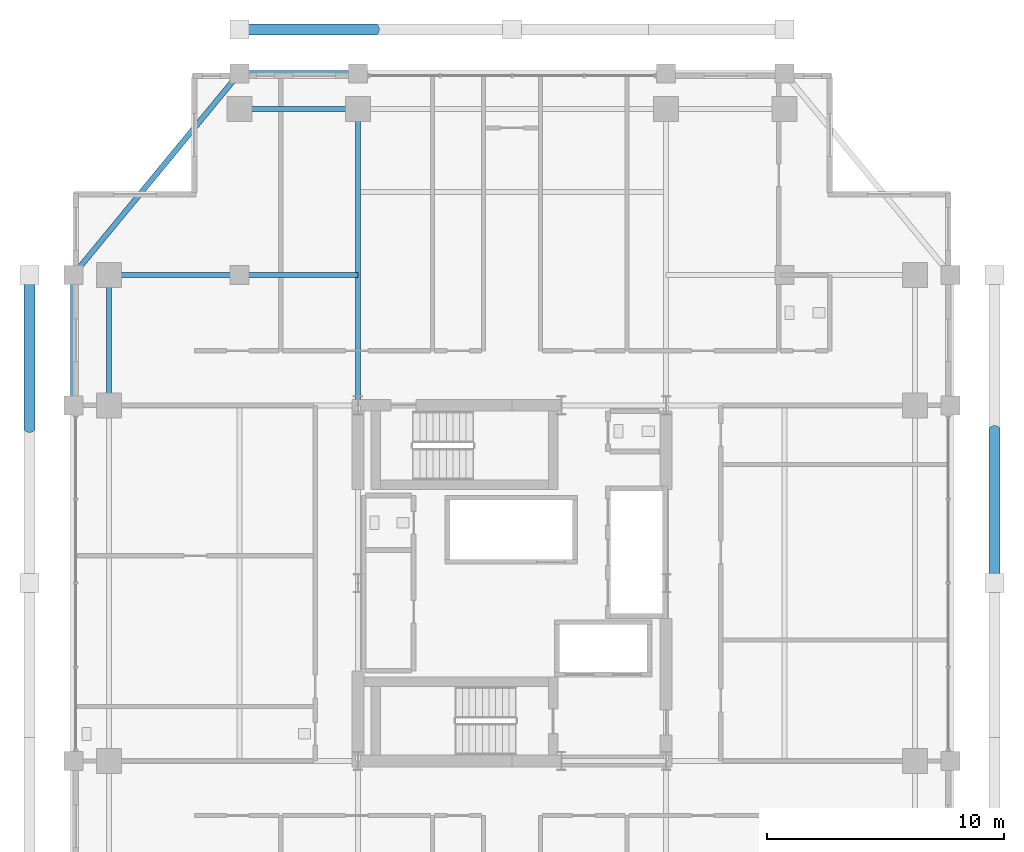
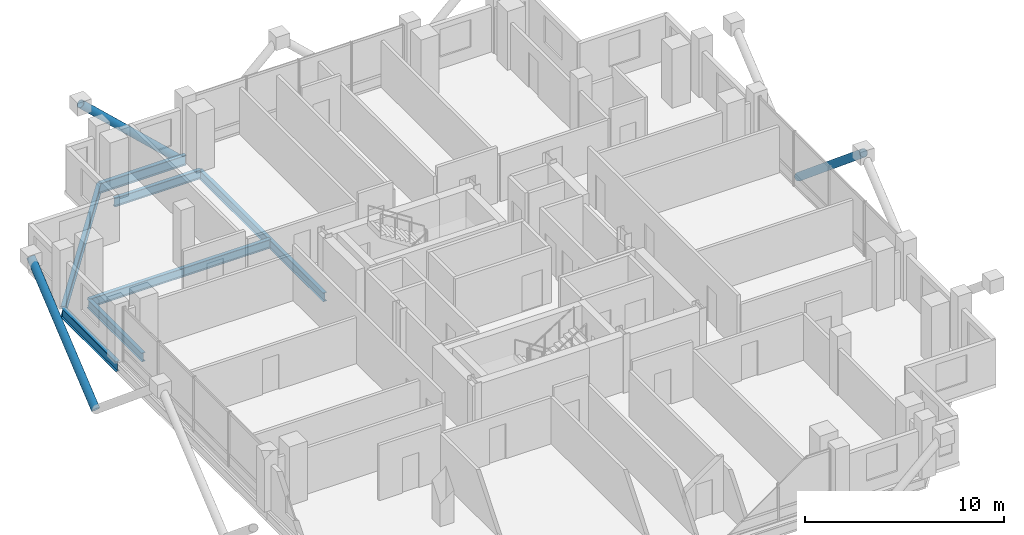
# One storey, part 12 of 23: 8 beams, 3 members.
"""IFC4 building model written with IfcOpenShell, lengths in metres."""

from ifc_helpers import new_model, si_unit, direction, frame, origin, origin_2d, place, context, subcontext, project, spatial, hollow_circle, i_section, extrude, material, material_profile, profile_set, type_object, element, save


model = new_model("IFC4")

# Units and contexts
model_context = context("Model", 3, precision=1e-05, world=origin(), true_north=direction((0.0, 1.0)))
body_context = subcontext(model_context, "Body", "Model", "MODEL_VIEW")
ifc_project = project(units=[si_unit("LENGTHUNIT", "METRE"), si_unit("AREAUNIT", "SQUARE_METRE"), si_unit("VOLUMEUNIT", "CUBIC_METRE"), si_unit("PLANEANGLEUNIT", "RADIAN"), si_unit("MASSUNIT", "GRAM", prefix="KILO")], contexts=[model_context])

# Site, building, storey
site_placement = place(None, origin())
site = spatial("IfcSite", under=ifc_project, at=site_placement, CompositionType="ELEMENT")
building_placement = place(site_placement, origin())
building = spatial("IfcBuilding", under=site, at=building_placement, Name="Barlavira Tower and Art Museum", CompositionType="ELEMENT")
storey_placement = place(building_placement, frame((0.0, 0.0, 205.199951171875)))
storey = spatial("IfcBuildingStorey", under=building, at=storey_placement, Name="L53", CompositionType="ELEMENT", Elevation=205.199951171875)

# Members
ifc_material = material(Name="Steel S355", Category="steel")
ifc_material_profile_1 = material_profile(ifc_material, hollow_circle(Radius=0.228515625, WallThickness=0.02001953125, at=origin_2d()), Name="CHS 457.0x20.0")
ifc_profile_set_1 = profile_set([ifc_material_profile_1], Name="Steel S355")
member_type = type_object("IfcMemberType", Name="Pale-Metal Exoskeleton Diagrid Tube CHS 457x20 Steel S355", PredefinedType="BRACE", material=ifc_profile_set_1)
member_placement = place(storey_placement, frame((-5.75, 23.35009765625, -1.919921875), z_axis=(-0.728950095515, 0.0, 0.684566839869), x_axis=(0.0, -1.0, 0.0)))
element("IfcMember", 1, at=member_placement, inside=storey, type_object=member_type, Name="L53 Exoskeleton Diagrid Tube N", PredefinedType="BRACE", context=body_context, shape_type="SweptSolid", body=[
    extrude(hollow_circle(Radius=0.228515625, WallThickness=0.02001953125, at=origin_2d()), origin(), (0.0, 0.0, 1.0), 7.887939453125),
])
for number, where, z_axis, x_axis, name in (
    (2, (-20.35009765625, 6.5, -1.919921875), (0.0, 0.769196053329, 0.639012857104), (-1.0, 0.0, 0.0), "L53 Exoskeleton Diagrid Tube W"),
    (3, (20.35009765625, 6.5, -1.919921875), (0.0, -0.769196053329, 0.639012857104), (1.0, 0.0, 0.0), "L53 Exoskeleton Diagrid Tube E"),
):
    element("IfcMember", number, at=place(storey_placement, frame(where, z_axis=z_axis, x_axis=x_axis)), inside=storey, type_object=member_type, Name=name, PredefinedType="BRACE", context=body_context, shape_type="SweptSolid", body=[
        extrude(hollow_circle(Radius=0.228515625, WallThickness=0.02001953125, at=origin_2d()), origin(), (0.0, 0.0, 1.0), 8.450439453125),
    ])

# Beams
ifc_material_profile_2 = material_profile(ifc_material, i_section(OverallWidth=0.22998046875, OverallDepth=0.616943359375, WebThickness=0.01318359375, FlangeThickness=0.022216796875, at=origin_2d()), Name="W610x140.0")
ifc_profile_set_2 = profile_set([ifc_material_profile_2], Name="Steel S355")
beam_type_1 = type_object("IfcBeamType", Name="Upper Shaft Spandrel Edge Beam W610x140 Steel S355", PredefinedType="SPANDREL", material=ifc_profile_set_2)
beam_1_placement = place(storey_placement, frame((-11.5, 21.5, -0.528564453125), z_axis=(1.0, 0.0, 0.0), x_axis=(0.0, 1.0, 0.0)))
element("IfcBeam", 4, at=beam_1_placement, inside=storey, type_object=beam_type_1, Name="L53 Spandrel 11", PredefinedType="SPANDREL", context=body_context, shape_type="SweptSolid", body=[
    extrude(i_section(OverallWidth=0.22998046875, OverallDepth=0.616943359375, WebThickness=0.01318359375, FlangeThickness=0.022216796875, at=origin_2d()), origin(), (0.0, 0.0, 1.0), 5.0),
])
beam_2_placement = place(storey_placement, frame((-11.5, 21.5, -0.528564453125), z_axis=(-0.635707252861, -0.771930235617, 0.0), x_axis=(0.771930235617, -0.635707252861, 0.0)))
element("IfcBeam", 5, at=beam_2_placement, inside=storey, type_object=beam_type_1, Name="L53 Spandrel 12", PredefinedType="SPANDREL", context=body_context, shape_type="SweptSolid", body=[
    extrude(i_section(OverallWidth=0.22998046875, OverallDepth=0.616943359375, WebThickness=0.01318359375, FlangeThickness=0.022216796875, at=origin_2d()), origin(), (0.0, 0.0, 1.0), 11.011474609375),
])
beam_3_placement = place(storey_placement, frame((-18.5, 7.5, -0.528564453125), z_axis=(0.0, 1.0, 0.0), x_axis=(-1.0, 0.0, 0.0)))
element("IfcBeam", 6, at=beam_3_placement, inside=storey, type_object=beam_type_1, Name="L53 Spandrel 13", PredefinedType="SPANDREL", context=body_context, shape_type="SweptSolid", body=[
    extrude(i_section(OverallWidth=0.22998046875, OverallDepth=0.616943359375, WebThickness=0.01318359375, FlangeThickness=0.022216796875, at=origin_2d()), origin(), (0.0, 0.0, 1.0), 5.5),
])
ifc_material_profile_3 = material_profile(ifc_material, i_section(OverallWidth=0.2109375, OverallDepth=0.5390625, WebThickness=0.01171875, FlangeThickness=0.018798828125, at=origin_2d()), Name="W530x109.0")
ifc_profile_set_3 = profile_set([ifc_material_profile_3], Name="Steel S355")
beam_type_2 = type_object("IfcBeamType", Name="Zone 3-4 Primary Floor Girder W530x109 Steel S355", PredefinedType="BEAM", material=ifc_profile_set_3)
beam_4_placement = place(storey_placement, frame((-11.5, 20.0, -0.489501953125), z_axis=(1.0, 0.0, 0.0), x_axis=(0.0, 1.0, 0.0)))
element("IfcBeam", 7, at=beam_4_placement, inside=storey, type_object=beam_type_2, Name="L53 Girder M-N1", PredefinedType="BEAM", context=body_context, shape_type="SweptSolid", body=[
    extrude(i_section(OverallWidth=0.2109375, OverallDepth=0.5390625, WebThickness=0.01171875, FlangeThickness=0.018798828125, at=origin_2d()), origin(), (0.0, 0.0, 1.0), 5.0),
])
beam_5_placement = place(storey_placement, frame((-17.0, 7.5, -0.489501953125), z_axis=(0.0, 1.0, 0.0), x_axis=(-1.0, 0.0, 0.0)))
element("IfcBeam", 8, at=beam_5_placement, inside=storey, type_object=beam_type_2, Name="L53 Girder M-W3", PredefinedType="BEAM", context=body_context, shape_type="SweptSolid", body=[
    extrude(i_section(OverallWidth=0.2109375, OverallDepth=0.5390625, WebThickness=0.01171875, FlangeThickness=0.018798828125, at=origin_2d()), origin(), (0.0, 0.0, 1.0), 5.5),
])
beam_6_placement = place(storey_placement, frame((-6.5, 7.5, -0.489501953125), z_axis=(0.0, 1.0, 0.0), x_axis=(-1.0, 0.0, 0.0)))
element("IfcBeam", 9, at=beam_6_placement, inside=storey, type_object=beam_type_2, Name="L53 Girder R-N1", PredefinedType="BEAM", context=body_context, shape_type="SweptSolid", body=[
    extrude(i_section(OverallWidth=0.2109375, OverallDepth=0.5390625, WebThickness=0.01171875, FlangeThickness=0.018798828125, at=origin_2d()), origin(), (0.0, 0.0, 1.0), 12.5),
])
beam_7_placement = place(storey_placement, frame((-17.0, 13.0, -0.489501953125), z_axis=(1.0, 0.0, 0.0), x_axis=(0.0, 1.0, 0.0)))
element("IfcBeam", 10, at=beam_7_placement, inside=storey, type_object=beam_type_2, Name="L53 Girder I-N1", PredefinedType="BEAM", context=body_context, shape_type="SweptSolid", body=[
    extrude(i_section(OverallWidth=0.2109375, OverallDepth=0.5390625, WebThickness=0.01171875, FlangeThickness=0.018798828125, at=origin_2d()), origin(), (0.0, 0.0, 1.0), 5.5),
])
beam_8_placement = place(storey_placement, frame((-11.5, 13.0, -0.489501953125), z_axis=(1.0, 0.0, 0.0), x_axis=(0.0, 1.0, 0.0)))
element("IfcBeam", 11, at=beam_8_placement, inside=storey, type_object=beam_type_2, Name="L53 Girder I-N2", PredefinedType="BEAM", context=body_context, shape_type="SweptSolid", body=[
    extrude(i_section(OverallWidth=0.2109375, OverallDepth=0.5390625, WebThickness=0.01171875, FlangeThickness=0.018798828125, at=origin_2d()), origin(), (0.0, 0.0, 1.0), 5.0),
])

save(model, "model.ifc")
